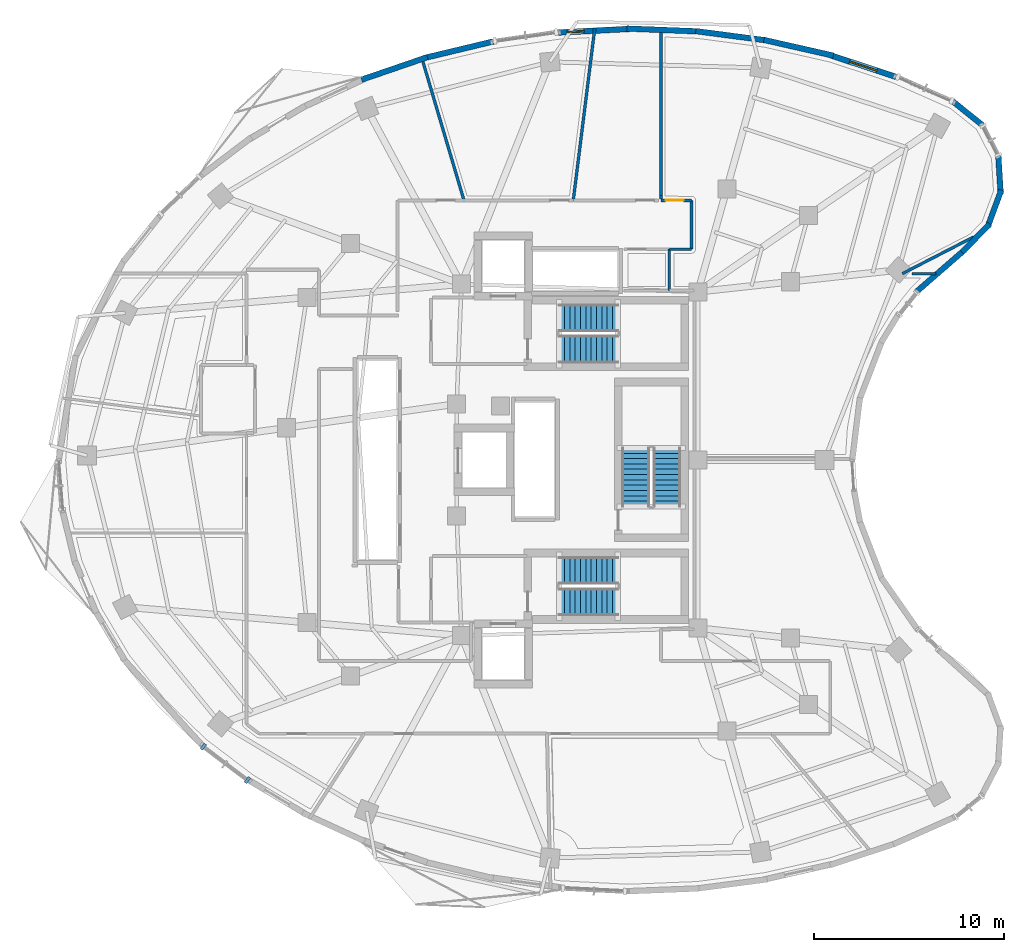
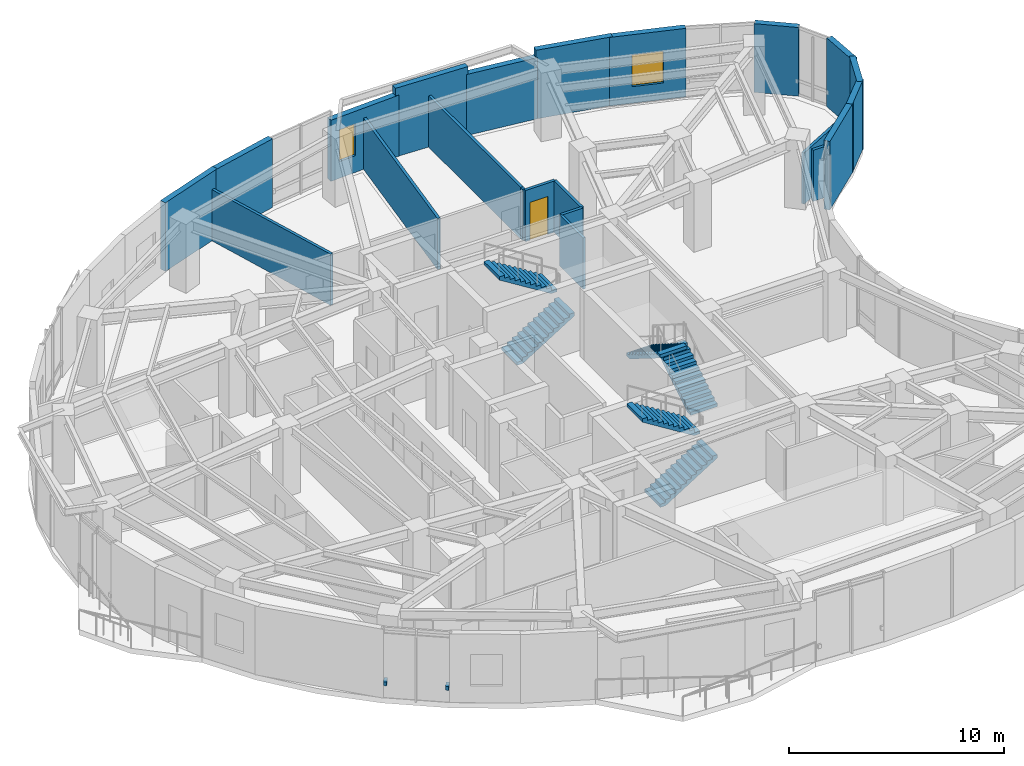
# One storey, part 11 of 15: 22 walls, 6 stair flights, 2 discrete accessories, 2 windows, 1 door, 3 openings, 3 elements without a shape of their own.
"""IFC4 building model written with IfcOpenShell, lengths in metres."""

from ifc_helpers import new_model, si_unit, direction, frame, frame_2d, origin, origin_2d, place, context, subcontext, project, spatial, polyline, rectangle, outline, extrude, material, layer, layer_set, type_object, element, fill, aggregate, save


model = new_model("IFC4")

# Units and contexts
model_context = context("Model", 3, precision=1e-05, world=origin(), true_north=direction((0.0, 1.0)))
body_context = subcontext(model_context, "Body", "Model", "MODEL_VIEW")
ifc_project = project(units=[si_unit("LENGTHUNIT", "METRE"), si_unit("AREAUNIT", "SQUARE_METRE"), si_unit("VOLUMEUNIT", "CUBIC_METRE"), si_unit("PLANEANGLEUNIT", "RADIAN"), si_unit("MASSUNIT", "GRAM", prefix="KILO")], contexts=[model_context])

# Site, building, storey
site_placement = place(None, origin())
site = spatial("IfcSite", under=ifc_project, at=site_placement, CompositionType="ELEMENT")
building_placement = place(site_placement, origin())
building = spatial("IfcBuilding", under=site, at=building_placement, Name="Korentha Bioscience Tower", CompositionType="ELEMENT")
storey_placement = place(building_placement, frame((0.0, 0.0, 226.800048828125)))
storey = spatial("IfcBuildingStorey", under=building, at=storey_placement, Name="L52", CompositionType="ELEMENT", Elevation=226.800048828125)

# Wall, opening, door
ifc_material_1 = material(Name="Double-Stud Acoustic Gypsum", Category="gypsum")
ifc_layer_1 = layer(ifc_material_1, 0.14990234375, Name="Double-Stud Acoustic Gypsum")
ifc_layer_set_1 = layer_set([ifc_layer_1], Name="Double-Stud Acoustic Gypsum (IW-L150)")
wall_type_1 = type_object("IfcWallType", Name="Acoustic Laboratory Partition Wall 150", PredefinedType="PARTITIONING", material=ifc_layer_set_1)
wall_1_placement = place(storey_placement, frame((37.199951171875, 40.659912109375, 0.0), z_axis=(0.0, 0.0, 1.0), x_axis=(-1.0, 0.0, 0.0)))
wall_1 = element("IfcWall", 1, at=wall_1_placement, inside=storey, type_object=wall_type_1, Name="L52 Scientific Writing Quiet Alcove 07 Entrance Wall", PredefinedType="PARTITIONING", context=body_context, shape_type="SweptSolid", body=[
    extrude(rectangle(XDim=1.597900390625, YDim=0.14990234375, at=frame_2d((0.798828125, 0.0))), origin(), (0.0, 0.0, 1.0), 2.909912109375),
])
opening_1_placement = place(wall_1_placement, frame((0.407958984375, 0.0, 0.0)))
opening_1 = element("IfcOpeningElement", 2, at=opening_1_placement, cuts=wall_1, Name="Opening ID-10L", PredefinedType="OPENING", context=body_context, shape_type="SweptSolid", body=[
    extrude(rectangle(XDim=0.949951171875, YDim=2.14990234375, at=frame_2d((0.47509765625, 1.074951171875))), frame((0.0, 0.08984375, 0.0), z_axis=(0.0, -1.0, 0.0), x_axis=(1.0, 0.0, 0.0)), (0.0, 0.0, 1.0), 0.1796875),
])
ifc_material_2 = material(Name="Phenolic Laminate Timber Core", Category="wood")
door_type = type_object("IfcDoorType", Name="Laboratory Single Leaf Door 950x2150 Left", OperationType="SINGLE_SWING_LEFT", PredefinedType="DOOR", material=ifc_material_2)
door_placement = place(opening_1_placement, origin())
door = element("IfcDoor", 3, at=door_placement, inside=storey, type_object=door_type, Name="L52 Scientific Writing Quiet Alcove 07 Door", OperationType="SINGLE_SWING_LEFT", OverallHeight=2.14990234375, OverallWidth=0.949951171875, PredefinedType="DOOR", context=body_context, shape_type="SweptSolid", body=[
    extrude(rectangle(XDim=0.949951171875, YDim=2.14990234375, at=frame_2d((0.47509765625, 1.074951171875))), frame((0.0, 0.02490234375, 0.0), z_axis=(0.0, -1.0, 0.0), x_axis=(1.0, 0.0, 0.0)), (0.0, 0.0, 1.0), 0.050048828125),
])
fill(opening_1, door)

# Walls
wall_2_placement = place(storey_placement, frame((35.60205078125, 40.923095703125, 0.0), z_axis=(0.0, 0.0, 1.0), x_axis=(0.0, 1.0, 0.0)))
element("IfcWall", 4, at=wall_2_placement, inside=storey, type_object=wall_type_1, Name="L52 Interior Partition 040", PredefinedType="PARTITIONING", context=body_context, shape_type="SweptSolid", body=[
    extrude(rectangle(XDim=8.833251953125, YDim=0.14990234375, at=frame_2d((4.41650390625, 0.0))), origin(), (0.0, 0.0, 1.0), 2.909912109375),
])
wall_3_placement = place(storey_placement, frame((52.0673828125, 38.7421875, 0.0), z_axis=(0.0, 0.0, 1.0), x_axis=(-0.88895746022, -0.457989774907, 0.0)))
element("IfcWall", 5, at=wall_3_placement, inside=storey, type_object=wall_type_1, Name="L52 Interior Partition 041", PredefinedType="PARTITIONING", context=body_context, shape_type="SweptSolid", body=[
    extrude(rectangle(XDim=4.228271484375, YDim=0.14990234375, at=frame_2d((2.1142578125, 0.0))), origin(), (0.0, 0.0, 1.0), 2.909912109375),
])
wall_4_placement = place(storey_placement, frame((48.81787109375, 36.798095703125, 0.0), z_axis=(0.0, 0.0, 1.0), x_axis=(1.0, 0.0, 0.0)))
element("IfcWall", 6, at=wall_4_placement, inside=storey, type_object=wall_type_1, Name="L52 Interior Partition 042", PredefinedType="PARTITIONING", context=body_context, shape_type="SweptSolid", body=[
    extrude(rectangle(XDim=1.25927734375, YDim=0.14990234375, at=frame_2d((0.629638671875, 0.0))), origin(), (0.0, 0.0, 1.0), 2.909912109375),
])
wall_5_placement = place(storey_placement, frame((36.06005859375, 38.090087890625, 0.0), z_axis=(0.0, 0.0, 1.0), x_axis=(1.0, 0.0, 0.0)))
element("IfcWall", 7, at=wall_5_placement, inside=storey, type_object=wall_type_1, Name="L52 Interior Partition 045", PredefinedType="PARTITIONING", context=body_context, shape_type="SweptSolid", body=[
    extrude(rectangle(XDim=1.139892578125, YDim=0.14990234375, at=frame_2d((0.56982421875, 0.0))), origin(), (0.0, 0.0, 1.0), 2.909912109375),
])
wall_6_placement = place(storey_placement, frame((37.2099609375, 38.10009765625, 0.0), z_axis=(0.0, 0.0, 1.0), x_axis=(0.0, 1.0, 0.0)))
element("IfcWall", 8, at=wall_6_placement, inside=storey, type_object=wall_type_1, Name="L52 Interior Partition 046", PredefinedType="PARTITIONING", context=body_context, shape_type="SweptSolid", body=[
    extrude(rectangle(XDim=2.5498046875, YDim=0.14990234375, at=frame_2d((1.27490234375, 0.0))), origin(), (0.0, 0.0, 1.0), 2.909912109375),
])
wall_7_placement = place(storey_placement, frame((35.60205078125, 40.738037109375, 0.0), z_axis=(0.0, 0.0, 1.0), x_axis=(0.0, 1.0, 0.0)))
element("IfcWall", 9, at=wall_7_placement, inside=storey, type_object=wall_type_1, Name="L52 Interior Partition 047", PredefinedType="PARTITIONING", context=body_context, shape_type="SweptSolid", body=[
    extrude(rectangle(XDim=0.175048828125, YDim=0.14990234375, at=frame_2d((0.08740234375, 0.0))), origin(), (0.0, 0.0, 1.0), 2.909912109375),
])
wall_8_placement = place(storey_placement, frame((30.987060546875, 40.659912109375, 0.0), z_axis=(0.0, 0.0, 1.0), x_axis=(0.123837473271, 0.992302514465, 0.0)))
element("IfcWall", 10, at=wall_8_placement, inside=storey, type_object=wall_type_1, Name="L52 Interior Partition 048", PredefinedType="PARTITIONING", context=body_context, shape_type="SweptSolid", body=[
    extrude(rectangle(XDim=9.1396484375, YDim=0.14990234375, at=frame_2d((4.56982421875, 0.0))), origin(), (0.0, 0.0, 1.0), 2.909912109375),
])
wall_9_placement = place(storey_placement, frame((25.23583984375, 40.659912109375, 0.0), z_axis=(0.0, 0.0, 1.0), x_axis=(-0.284007193362, 0.958822149368, 0.0)))
element("IfcWall", 11, at=wall_9_placement, inside=storey, type_object=wall_type_1, Name="L52 Interior Partition 049", PredefinedType="PARTITIONING", context=body_context, shape_type="SweptSolid", body=[
    extrude(rectangle(XDim=7.888916015625, YDim=0.14990234375, at=frame_2d((3.9443359375, 0.0))), origin(), (0.0, 0.0, 1.0), 2.909912109375),
])

# Wall, opening, window
ifc_material_3 = material(Name="Honed Limestone Precast Concrete C40", Category="masonry")
ifc_layer_2 = layer(ifc_material_3, 0.300048828125, Name="Honed Limestone Precast Concrete C40")
ifc_layer_set_2 = layer_set([ifc_layer_2], Name="Honed Limestone Precast Concrete C40 (EW-ST300)")
wall_type_2 = type_object("IfcWallType", Name="Honed Limestone Cavity Spandrel Wall 300", PredefinedType="STANDARD", material=ifc_layer_set_2)
wall_10_placement = place(storey_placement, frame((47.97265625, 47.163818359375, 0.0), z_axis=(0.0, 0.0, 1.0), x_axis=(-0.949704682455, 0.313146956114, 0.0)))
wall_10 = element("IfcWall", 12, at=wall_10_placement, inside=storey, type_object=wall_type_2, Name="L52 Honed Limestone Spandrel Wall 02", PredefinedType="STANDARD", context=body_context, shape_type="SweptSolid", body=[
    extrude(rectangle(XDim=3.639404296875, YDim=0.300048828125, at=frame_2d((1.81982421875, 0.0))), origin(), (0.0, 0.0, 1.0), 3.89990234375),
])
opening_2_placement = place(wall_10_placement, frame((1.069580078125, 0.0, 0.949951171875)))
opening_2 = element("IfcOpeningElement", 13, at=opening_2_placement, cuts=wall_10, Name="Opening WN-02", PredefinedType="OPENING", context=body_context, shape_type="SweptSolid", body=[
    extrude(rectangle(XDim=1.5, YDim=1.800048828125, at=frame_2d((0.75, 0.89990234375))), frame((0.0, 0.1650390625, 0.0), z_axis=(0.0, -1.0, 0.0), x_axis=(1.0, 0.0, 0.0)), (0.0, 0.0, 1.0), 0.329833984375),
])
ifc_material_4 = material(Name="Thermally Broken Aluminium Triple Glazing", Category="aluminium")
window_type_1 = type_object("IfcWindowType", Name="Acoustic Operable Office Window 1500x1800", PartitioningType="DOUBLE_PANEL_VERTICAL", PredefinedType="WINDOW", material=ifc_material_4)
window_1_placement = place(opening_2_placement, origin())
window_1 = element("IfcWindow", 14, at=window_1_placement, inside=storey, type_object=window_type_1, Name="L52 Facade Window 02", OverallHeight=1.800048828125, OverallWidth=1.5, PartitioningType="DOUBLE_PANEL_VERTICAL", PredefinedType="WINDOW", context=body_context, shape_type="SweptSolid", body=[
    extrude(rectangle(XDim=1.5, YDim=1.800048828125, at=frame_2d((0.75, 0.89990234375))), frame((0.0, 0.030029296875, 0.0), z_axis=(0.0, -1.0, 0.0), x_axis=(1.0, 0.0, 0.0)), (0.0, 0.0, 1.0), 0.06005859375),
])
fill(opening_2, window_1)

wall_11_placement = place(storey_placement, frame((33.95849609375, 49.6875, 0.0), z_axis=(0.0, 0.0, 1.0), x_axis=(-0.998693948377, -0.051092049037, 0.0)))
wall_11 = element("IfcWall", 15, at=wall_11_placement, inside=storey, type_object=wall_type_2, Name="L52 Honed Limestone Spandrel Wall 06", PredefinedType="STANDARD", context=body_context, shape_type="SweptSolid", body=[
    extrude(rectangle(XDim=3.765380859375, YDim=0.300048828125, at=frame_2d((1.8828125, 0.0))), origin(), (0.0, 0.0, 1.0), 3.469970703125),
])
opening_3_placement = place(wall_11_placement, frame((2.40673828125, 0.0, 0.949951171875)))
opening_3 = element("IfcOpeningElement", 16, at=opening_3_placement, cuts=wall_11, Name="Opening WN-05", PredefinedType="OPENING", context=body_context, shape_type="SweptSolid", body=[
    extrude(rectangle(XDim=0.89990234375, YDim=1.800048828125, at=frame_2d((0.449951171875, 0.89990234375))), frame((0.0, 0.1650390625, 0.0), z_axis=(0.0, -1.0, 0.0), x_axis=(1.0, 0.0, 0.0)), (0.0, 0.0, 1.0), 0.329833984375),
])
window_type_2 = type_object("IfcWindowType", Name="Narrow Bioscience Pier Window 900x1800", PartitioningType="SINGLE_PANEL", PredefinedType="WINDOW", material=ifc_material_4)
window_2_placement = place(opening_3_placement, origin())
window_2 = element("IfcWindow", 17, at=window_2_placement, inside=storey, type_object=window_type_2, Name="L52 Facade Window 06", OverallHeight=1.800048828125, OverallWidth=0.89990234375, PartitioningType="SINGLE_PANEL", PredefinedType="WINDOW", context=body_context, shape_type="SweptSolid", body=[
    extrude(rectangle(XDim=0.89990234375, YDim=1.800048828125, at=frame_2d((0.449951171875, 0.89990234375))), frame((0.0, 0.030029296875, 0.0), z_axis=(0.0, -1.0, 0.0), x_axis=(1.0, 0.0, 0.0)), (0.0, 0.0, 1.0), 0.06005859375),
])
fill(opening_3, window_2)

# Walls
wall_12_placement = place(storey_placement, frame((44.67041015625, 48.282470703125, 0.0), z_axis=(0.0, 0.0, 1.0), x_axis=(-0.975241674184, 0.221141757557, 0.0)))
element("IfcWall", 18, at=wall_12_placement, inside=storey, type_object=wall_type_2, Name="L52 Limestone Perimeter Closure Wall 03", PredefinedType="STANDARD", context=body_context, shape_type="SweptSolid", body=[
    extrude(rectangle(XDim=3.74267578125, YDim=0.300048828125, at=frame_2d((1.871337890625, 0.0))), origin(), (0.0, 0.0, 1.0), 3.89990234375),
])
wall_13_placement = place(storey_placement, frame((41.190673828125, 49.079833984375, 0.0), z_axis=(0.0, 0.0, 1.0), x_axis=(-0.991512801574, 0.130009093201, 0.0)))
element("IfcWall", 19, at=wall_13_placement, inside=storey, type_object=wall_type_2, Name="L52 Limestone Perimeter Closure Wall 04", PredefinedType="STANDARD", context=body_context, shape_type="SweptSolid", body=[
    extrude(rectangle(XDim=3.785888671875, YDim=0.300048828125, at=frame_2d((1.89306640625, 0.0))), origin(), (0.0, 0.0, 1.0), 3.469970703125),
])
wall_14_placement = place(storey_placement, frame((37.60888671875, 49.557373046875, 0.0), z_axis=(0.0, 0.0, 1.0), x_axis=(-0.999221923177, 0.039440439173, 0.0)))
element("IfcWall", 20, at=wall_14_placement, inside=storey, type_object=wall_type_2, Name="L52 Limestone Perimeter Closure Wall 05", PredefinedType="STANDARD", context=body_context, shape_type="SweptSolid", body=[
    extrude(rectangle(XDim=3.806884765625, YDim=0.300048828125, at=frame_2d((1.9033203125, 0.0))), origin(), (0.0, 0.0, 1.0), 3.89990234375),
])
wall_15_placement = place(storey_placement, frame((26.775146484375, 49.027099609375, 0.0), z_axis=(0.0, 0.0, 1.0), x_axis=(-0.972475629939, -0.233004611918, 0.0)))
element("IfcWall", 21, at=wall_15_placement, inside=storey, type_object=wall_type_2, Name="L52 Limestone Perimeter Closure Wall 08", PredefinedType="STANDARD", context=body_context, shape_type="SweptSolid", body=[
    extrude(rectangle(XDim=3.7353515625, YDim=0.300048828125, at=frame_2d((1.86767578125, 0.0))), origin(), (0.0, 0.0, 1.0), 3.89990234375),
])
wall_16_placement = place(storey_placement, frame((23.30908203125, 48.205078125, 0.0), z_axis=(0.0, 0.0, 1.0), x_axis=(-0.945722383555, -0.32497565023, 0.0)))
element("IfcWall", 22, at=wall_16_placement, inside=storey, type_object=wall_type_2, Name="L52 Limestone Perimeter Closure Wall 09", PredefinedType="STANDARD", context=body_context, shape_type="SweptSolid", body=[
    extrude(rectangle(XDim=3.669921875, YDim=0.300048828125, at=frame_2d((1.8349609375, 0.0))), origin(), (0.0, 0.0, 1.0), 3.89990234375),
])
wall_17_placement = place(storey_placement, frame((49.039794921875, 35.840087890625, 0.0), z_axis=(0.0, 0.0, 1.0), x_axis=(0.754679026761, 0.656094175075, 0.0)))
element("IfcWall", 23, at=wall_17_placement, inside=storey, type_object=wall_type_2, Name="L52 Limestone Perimeter Closure Wall 56", PredefinedType="STANDARD", context=body_context, shape_type="SweptSolid", body=[
    extrude(rectangle(XDim=3.360595703125, YDim=0.300048828125, at=frame_2d((1.68017578125, 0.0))), origin(), (0.0, 0.0, 1.0), 3.89990234375),
])
for number, where, z_axis, x_axis, name in (
    (24, (51.451416015625, 37.9267578125, 0.0), (0.0, 0.0, 1.0), (0.695810272174, 0.718225636647, 0.0), "L52 Limestone Perimeter Closure Wall 58"),
    (25, (52.79248046875, 39.247314453125, 0.0), (0.0, 0.0, 1.0), (0.346359858312, 0.93810172612, 0.0), "L52 Limestone Perimeter Closure Wall 59"),
    (26, (53.485595703125, 40.997314453125, 0.0), (0.0, 0.0, 1.0), (-0.06186954965, 0.998084244353, 0.0), "L52 Limestone Perimeter Closure Wall 60"),
):
    element("IfcWall", number, at=place(storey_placement, frame(where, z_axis=z_axis, x_axis=x_axis)), inside=storey, type_object=wall_type_2, Name=name, PredefinedType="STANDARD", context=body_context, shape_type="SweptSolid", body=[
        extrude(rectangle(XDim=2.09130859375, YDim=0.300048828125, at=frame_2d((1.045654296875, 0.0))), origin(), (0.0, 0.0, 1.0), 3.89990234375),
    ])
wall_18_placement = place(storey_placement, frame((52.587646484375, 44.5693359375, 0.0), z_axis=(0.0, 0.0, 1.0), x_axis=(-0.779157679167, 0.6268279756, 0.0)))
element("IfcWall", 27, at=wall_18_placement, inside=storey, type_object=wall_type_2, Name="L52 Limestone Perimeter Closure Wall 62", PredefinedType="STANDARD", context=body_context, shape_type="SweptSolid", body=[
    extrude(rectangle(XDim=2.091552734375, YDim=0.300048828125, at=frame_2d((1.0458984375, 0.0))), origin(), (0.0, 0.0, 1.0), 3.89990234375),
])
ifc_material_5 = material(Name="Cement-Board Steel Stud", Category="steel")
ifc_layer_3 = layer(ifc_material_5, 0.1298828125, Name="Cement-Board Steel Stud")
ifc_layer_set_3 = layer_set([ifc_layer_3], Name="Cement-Board Steel Stud (IW-W130)")
wall_type_3 = type_object("IfcWallType", Name="Wet-Area Moisture-Resistant Partition 130", PredefinedType="PARTITIONING", material=ifc_layer_set_3)
wall_19_placement = place(storey_placement, frame((36.050048828125, 38.090087890625, 0.0), z_axis=(0.0, 0.0, 1.0), x_axis=(0.0, -1.0, 0.0)))
element("IfcWall", 28, at=wall_19_placement, inside=storey, type_object=wall_type_3, Name="L52 Interior Partition 015", PredefinedType="PARTITIONING", context=body_context, shape_type="SweptSolid", body=[
    extrude(rectangle(XDim=2.18017578125, YDim=0.1298828125, at=frame_2d((1.090087890625, 0.0))), origin(), (0.0, 0.0, 1.0), 2.909912109375),
])

# Stair, stair flights
ifc_material_6 = material(Name="Precast Concrete C50", Category="concrete")
stair_type = type_object("IfcStairType", Name="Core Exit Dog-Leg Stair 1450", PredefinedType="HALF_TURN_STAIR", material=ifc_material_6)
stair_1_placement = place(storey_placement, origin())
stair_1 = element("IfcStair", 29, at=stair_1_placement, inside=storey, type_object=stair_type, Name="L52 Tower North Pressurized Exit Stair ST-1", PredefinedType="HALF_TURN_STAIR")
stair_flight_type = type_object("IfcStairFlightType", Name="Core Exit Dog-Leg Stair 1450 Flight", PredefinedType="STRAIGHT", material=ifc_material_6)
stair_flight_1_placement = place(storey_placement, frame((30.25, 32.824951171875, 0.0), z_axis=(0.0, 0.0, 1.0), x_axis=(1.0, 0.0, 0.0)))
stair_flight_1 = element("IfcStairFlight", 30, at=stair_flight_1_placement, type_object=stair_flight_type, Name="ST-1 flight 1", NumberOfRisers=12, NumberOfTreads=11, PredefinedType="STRAIGHT", RiserHeight=0.175, TreadLength=0.28, context=body_context, shape_type="SweptSolid", body=[
    extrude(outline(polyline([(0.0, 0.0), (0.0, 0.175048828125), (0.280029296875, 0.175048828125), (0.280029296875, 0.35009765625), (0.56005859375, 0.35009765625), (0.56005859375, 0.52490234375), (0.840087890625, 0.52490234375), (0.840087890625, 0.699951171875), (1.1201171875, 0.699951171875), (1.1201171875, 0.875), (1.39990234375, 0.875), (1.39990234375, 1.050048828125), (1.679931640625, 1.050048828125), (1.679931640625, 1.22509765625), (1.9599609375, 1.22509765625), (1.9599609375, 1.39990234375), (2.239990234375, 1.39990234375), (2.239990234375, 1.574951171875), (2.52001953125, 1.574951171875), (2.52001953125, 1.75), (2.800048828125, 1.75), (2.800048828125, 1.925048828125), (3.080078125, 1.925048828125), (3.080078125, 2.10009765625), (3.080078125, 1.736328125), (0.3017578125, 0.0), (0.0, 0.0)])), frame((0.0, 0.72509765625, 0.0), z_axis=(0.0, -1.0, 0.0), x_axis=(1.0, 0.0, 0.0)), (0.0, 0.0, 1.0), 1.449951171875),
])
stair_flight_2_placement = place(storey_placement, frame((33.330078125, 34.47509765625, 2.099853515625), z_axis=(0.0, 0.0, 1.0), x_axis=(-1.0, 0.0, 0.0)))
stair_flight_2 = element("IfcStairFlight", 31, at=stair_flight_2_placement, type_object=stair_flight_type, Name="ST-1 flight 2", NumberOfRisers=12, NumberOfTreads=11, PredefinedType="STRAIGHT", RiserHeight=0.175, TreadLength=0.28, context=body_context, shape_type="SweptSolid", body=[
    extrude(outline(polyline([(0.0, 0.0), (0.0, 0.175048828125), (0.280029296875, 0.175048828125), (0.280029296875, 0.35009765625), (0.56005859375, 0.35009765625), (0.56005859375, 0.52490234375), (0.840087890625, 0.52490234375), (0.840087890625, 0.699951171875), (1.1201171875, 0.699951171875), (1.1201171875, 0.875), (1.39990234375, 0.875), (1.39990234375, 1.050048828125), (1.679931640625, 1.050048828125), (1.679931640625, 1.22509765625), (1.9599609375, 1.22509765625), (1.9599609375, 1.39990234375), (2.239990234375, 1.39990234375), (2.239990234375, 1.574951171875), (2.52001953125, 1.574951171875), (2.52001953125, 1.75), (2.800048828125, 1.75), (2.800048828125, 1.925048828125), (3.080078125, 1.925048828125), (3.080078125, 2.10009765625), (3.080078125, 1.736328125), (0.3017578125, 0.0), (0.0, 0.0)])), frame((0.0, 0.72509765625, 0.0), z_axis=(0.0, -1.0, 0.0), x_axis=(1.0, 0.0, 0.0)), (0.0, 0.0, 1.0), 1.449951171875),
])
aggregate(stair_1, [stair_flight_1, stair_flight_2])

stair_2_placement = place(storey_placement, origin())
stair_2 = element("IfcStair", 32, at=stair_2_placement, inside=storey, type_object=stair_type, Name="L52 Tower South Pressurized Exit Stair ST-2", PredefinedType="HALF_TURN_STAIR")
stair_flight_3_placement = place(storey_placement, frame((30.25, 19.52490234375, 0.0), z_axis=(0.0, 0.0, 1.0), x_axis=(1.0, 0.0, 0.0)))
stair_flight_3 = element("IfcStairFlight", 33, at=stair_flight_3_placement, type_object=stair_flight_type, Name="ST-2 flight 1", NumberOfRisers=12, NumberOfTreads=11, PredefinedType="STRAIGHT", RiserHeight=0.175, TreadLength=0.28, context=body_context, shape_type="SweptSolid", body=[
    extrude(outline(polyline([(0.0, 0.0), (0.0, 0.175048828125), (0.280029296875, 0.175048828125), (0.280029296875, 0.35009765625), (0.56005859375, 0.35009765625), (0.56005859375, 0.52490234375), (0.840087890625, 0.52490234375), (0.840087890625, 0.699951171875), (1.1201171875, 0.699951171875), (1.1201171875, 0.875), (1.39990234375, 0.875), (1.39990234375, 1.050048828125), (1.679931640625, 1.050048828125), (1.679931640625, 1.22509765625), (1.9599609375, 1.22509765625), (1.9599609375, 1.39990234375), (2.239990234375, 1.39990234375), (2.239990234375, 1.574951171875), (2.52001953125, 1.574951171875), (2.52001953125, 1.75), (2.800048828125, 1.75), (2.800048828125, 1.925048828125), (3.080078125, 1.925048828125), (3.080078125, 2.10009765625), (3.080078125, 1.736328125), (0.3017578125, 0.0), (0.0, 0.0)])), frame((0.0, 0.72509765625, 0.0), z_axis=(0.0, -1.0, 0.0), x_axis=(1.0, 0.0, 0.0)), (0.0, 0.0, 1.0), 1.449951171875),
])
stair_flight_4_placement = place(storey_placement, frame((33.330078125, 21.175048828125, 2.099853515625), z_axis=(0.0, 0.0, 1.0), x_axis=(-1.0, 0.0, 0.0)))
stair_flight_4 = element("IfcStairFlight", 34, at=stair_flight_4_placement, type_object=stair_flight_type, Name="ST-2 flight 2", NumberOfRisers=12, NumberOfTreads=11, PredefinedType="STRAIGHT", RiserHeight=0.175, TreadLength=0.28, context=body_context, shape_type="SweptSolid", body=[
    extrude(outline(polyline([(0.0, 0.0), (0.0, 0.175048828125), (0.280029296875, 0.175048828125), (0.280029296875, 0.35009765625), (0.56005859375, 0.35009765625), (0.56005859375, 0.52490234375), (0.840087890625, 0.52490234375), (0.840087890625, 0.699951171875), (1.1201171875, 0.699951171875), (1.1201171875, 0.875), (1.39990234375, 0.875), (1.39990234375, 1.050048828125), (1.679931640625, 1.050048828125), (1.679931640625, 1.22509765625), (1.9599609375, 1.22509765625), (1.9599609375, 1.39990234375), (2.239990234375, 1.39990234375), (2.239990234375, 1.574951171875), (2.52001953125, 1.574951171875), (2.52001953125, 1.75), (2.800048828125, 1.75), (2.800048828125, 1.925048828125), (3.080078125, 1.925048828125), (3.080078125, 2.10009765625), (3.080078125, 1.736328125), (0.3017578125, 0.0), (0.0, 0.0)])), frame((0.0, 0.72509765625, 0.0), z_axis=(0.0, -1.0, 0.0), x_axis=(1.0, 0.0, 0.0)), (0.0, 0.0, 1.0), 1.449951171875),
])
aggregate(stair_2, [stair_flight_3, stair_flight_4])

stair_3_placement = place(storey_placement, origin())
stair_3 = element("IfcStair", 35, at=stair_3_placement, inside=storey, type_object=stair_type, Name="L52 Tower Central Pressurized Exit Stair ST-3", PredefinedType="HALF_TURN_STAIR")
stair_flight_5_placement = place(storey_placement, frame((35.925048828125, 24.550048828125, 0.0), z_axis=(0.0, 0.0, 1.0), x_axis=(0.0, 1.0, 0.0)))
stair_flight_5 = element("IfcStairFlight", 36, at=stair_flight_5_placement, type_object=stair_flight_type, Name="ST-3 flight 1", NumberOfRisers=12, NumberOfTreads=11, PredefinedType="STRAIGHT", RiserHeight=0.175, TreadLength=0.28, context=body_context, shape_type="SweptSolid", body=[
    extrude(outline(polyline([(0.0, 0.0), (0.0, 0.175048828125), (0.280029296875, 0.175048828125), (0.280029296875, 0.35009765625), (0.56005859375, 0.35009765625), (0.56005859375, 0.52490234375), (0.840087890625, 0.52490234375), (0.840087890625, 0.699951171875), (1.1201171875, 0.699951171875), (1.1201171875, 0.875), (1.39990234375, 0.875), (1.39990234375, 1.050048828125), (1.679931640625, 1.050048828125), (1.679931640625, 1.22509765625), (1.9599609375, 1.22509765625), (1.9599609375, 1.39990234375), (2.239990234375, 1.39990234375), (2.239990234375, 1.574951171875), (2.52001953125, 1.574951171875), (2.52001953125, 1.75), (2.800048828125, 1.75), (2.800048828125, 1.925048828125), (3.080078125, 1.925048828125), (3.080078125, 2.10009765625), (3.080078125, 1.736328125), (0.3017578125, 0.0), (0.0, 0.0)])), frame((0.0, 0.72509765625, 0.0), z_axis=(0.0, -1.0, 0.0), x_axis=(1.0, 0.0, 0.0)), (0.0, 0.0, 1.0), 1.449951171875),
])
stair_flight_6_placement = place(storey_placement, frame((34.27490234375, 27.6298828125, 2.099853515625), z_axis=(0.0, 0.0, 1.0), x_axis=(0.0, -1.0, 0.0)))
stair_flight_6 = element("IfcStairFlight", 37, at=stair_flight_6_placement, type_object=stair_flight_type, Name="ST-3 flight 2", NumberOfRisers=12, NumberOfTreads=11, PredefinedType="STRAIGHT", RiserHeight=0.175, TreadLength=0.28, context=body_context, shape_type="SweptSolid", body=[
    extrude(outline(polyline([(0.0, 0.0), (0.0, 0.175048828125), (0.280029296875, 0.175048828125), (0.280029296875, 0.35009765625), (0.56005859375, 0.35009765625), (0.56005859375, 0.52490234375), (0.840087890625, 0.52490234375), (0.840087890625, 0.699951171875), (1.1201171875, 0.699951171875), (1.1201171875, 0.875), (1.39990234375, 0.875), (1.39990234375, 1.050048828125), (1.679931640625, 1.050048828125), (1.679931640625, 1.22509765625), (1.9599609375, 1.22509765625), (1.9599609375, 1.39990234375), (2.239990234375, 1.39990234375), (2.239990234375, 1.574951171875), (2.52001953125, 1.574951171875), (2.52001953125, 1.75), (2.800048828125, 1.75), (2.800048828125, 1.925048828125), (3.080078125, 1.925048828125), (3.080078125, 2.10009765625), (3.080078125, 1.736328125), (0.3017578125, 0.0), (0.0, 0.0)])), frame((0.0, 0.72509765625, 0.0), z_axis=(0.0, -1.0, 0.0), x_axis=(1.0, 0.0, 0.0)), (0.0, 0.0, 1.0), 1.449951171875),
])
aggregate(stair_3, [stair_flight_5, stair_flight_6])

# Discrete accessories
ifc_material_7 = material(Name="Stainless Steel 316", Category="steel")
discrete_accessory_type = type_object("IfcDiscreteAccessoryType", Name="Stainless Steel Solar-Screen Outrigger Bracket", PredefinedType="BRACKET", material=ifc_material_7)
for number, where, z_axis, x_axis, name in (
    (38, (11.51513671875, 11.904296875, 0.73974609375), (0.0, 0.0, 1.0), (0.796889131105, -0.604125576951, 0.0), "CW-L52-25 Solar-Screen Support Bracket 1"),
    (39, (13.833251953125, 10.147216796875, 0.73974609375), (0.0, 0.0, 1.0), (0.796889131105, -0.604125576951, 0.0), "CW-L52-25 Solar-Screen Support Bracket 2"),
):
    element("IfcDiscreteAccessory", number, at=place(storey_placement, frame(where, z_axis=z_axis, x_axis=x_axis)), inside=storey, type_object=discrete_accessory_type, Name=name, PredefinedType="BRACKET", context=body_context, shape_type="SweptSolid", body=[
        extrude(rectangle(XDim=0.159912109375, YDim=0.360107421875, at=origin_2d()), origin(), (0.0, 0.0, 1.0), 0.219970703125),
    ])

save(model, "model.ifc")
